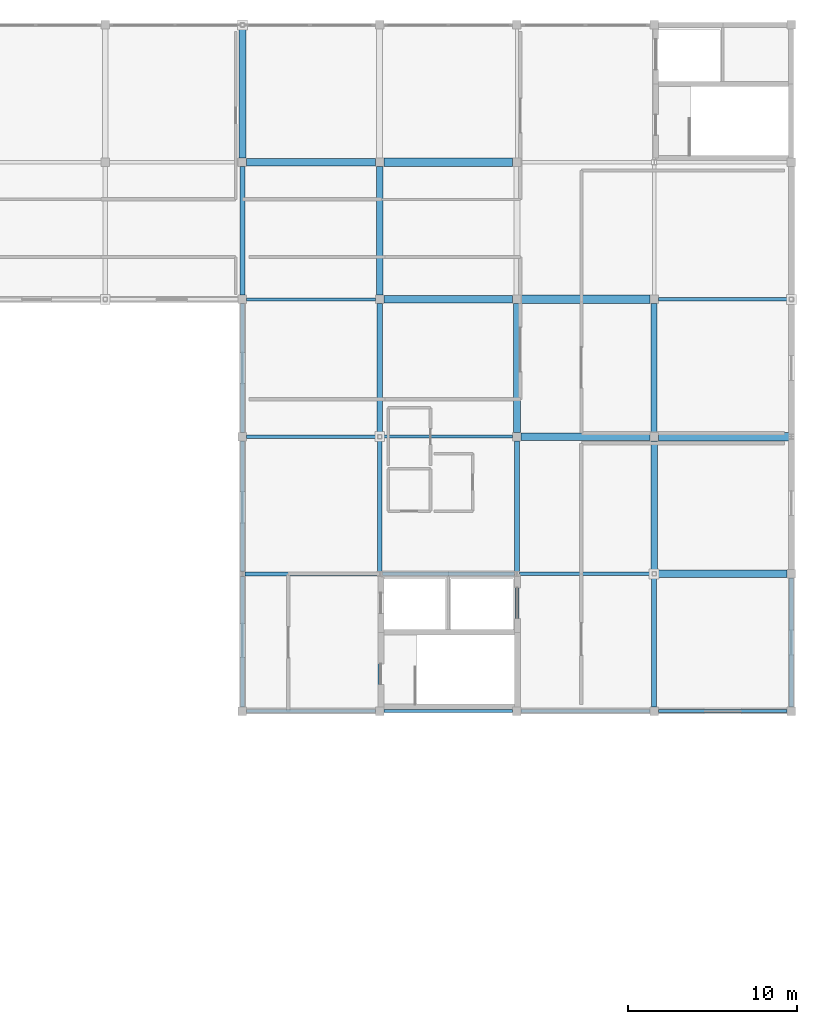
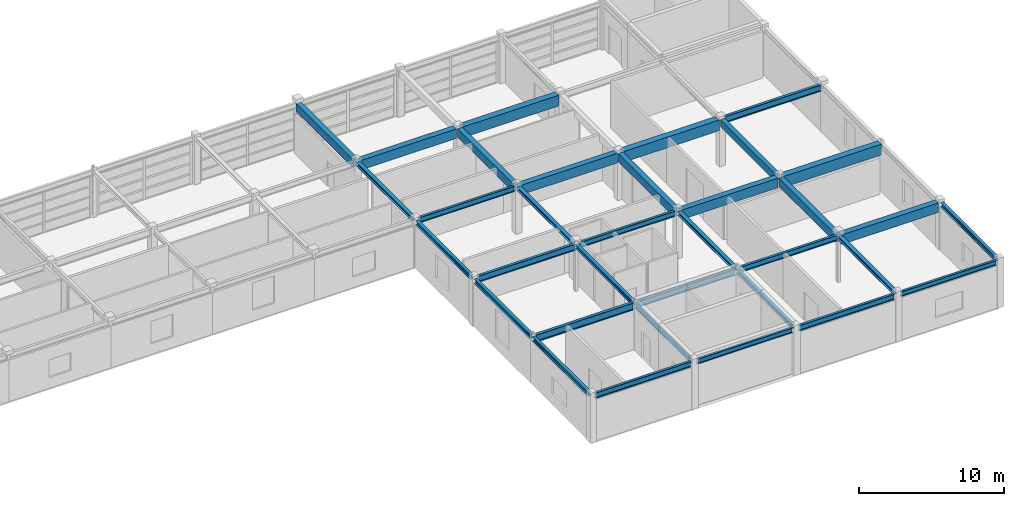
# One storey, part 11 of 19: 34 beams.
"""IFC4 building model written with IfcOpenShell, lengths in metres."""

from ifc_helpers import new_model, si_unit, direction, frame, origin, origin_2d, place, context, subcontext, project, spatial, rectangle, i_section, extrude, material, material_profile, profile_set, type_object, element, save


model = new_model("IFC4")

# Units and contexts
model_context = context("Model", 3, precision=1e-05, world=origin(), true_north=direction((0.0, 1.0)))
body_context = subcontext(model_context, "Body", "Model", "MODEL_VIEW")
ifc_project = project(units=[si_unit("LENGTHUNIT", "METRE"), si_unit("AREAUNIT", "SQUARE_METRE"), si_unit("VOLUMEUNIT", "CUBIC_METRE"), si_unit("PLANEANGLEUNIT", "RADIAN"), si_unit("MASSUNIT", "GRAM", prefix="KILO")], contexts=[model_context])

# Site, building, storey
site_placement = place(None, origin())
site = spatial("IfcSite", under=ifc_project, at=site_placement, CompositionType="ELEMENT")
building_placement = place(site_placement, origin())
building = spatial("IfcBuilding", under=site, at=building_placement, Name="Parian Resonance Hall", CompositionType="ELEMENT")
storey_placement = place(building_placement, frame((0.0, 0.0, 23.39990234375)))
storey = spatial("IfcBuildingStorey", under=building, at=storey_placement, Name="L05", CompositionType="ELEMENT", Elevation=23.39990234375)

# Beams
ifc_material_1 = material(Name="Concrete C40/50", Category="concrete")
ifc_material_profile_1 = material_profile(ifc_material_1, rectangle(XDim=0.35009765625, YDim=0.60009765625, at=origin_2d()), Name="RC-BM-350x600")
ifc_profile_set_1 = profile_set([ifc_material_profile_1], Name="Concrete C40/50")
beam_type_1 = type_object("IfcBeamType", Name="BM-RC350x600", PredefinedType="BEAM", material=ifc_profile_set_1)
beam_1_placement = place(storey_placement, frame((137.699951171875, 65.050048828125, 3.670166015625), z_axis=(0.0, 1.0, 0.0), x_axis=(-1.0, 0.0, 0.0)))
element("IfcBeam", 1, at=beam_1_placement, inside=storey, type_object=beam_type_1, Name="GY-L05-1095", PredefinedType="BEAM", context=body_context, shape_type="SweptSolid", body=[
    extrude(rectangle(XDim=0.35009765625, YDim=0.60009765625, at=origin_2d()), origin(), (0.0, 0.0, 1.0), 7.599853515625),
])
ifc_material_2 = material(Name="Concrete C40/50", Category="concrete")
ifc_material_profile_2 = material_profile(ifc_material_2, rectangle(XDim=0.39990234375, YDim=0.699951171875, at=origin_2d()), Name="RC-BM-400x700")
ifc_profile_set_2 = profile_set([ifc_material_profile_2], Name="Concrete C40/50")
beam_type_2 = type_object("IfcBeamType", Name="BM-RC400x700", PredefinedType="BEAM", material=ifc_profile_set_2)
beam_2_placement = place(storey_placement, frame((113.39990234375, 81.25, 3.6201171875), z_axis=(0.0, 1.0, 0.0), x_axis=(-1.0, 0.0, 0.0)))
element("IfcBeam", 2, at=beam_2_placement, inside=storey, type_object=beam_type_2, Name="GY-L05-1082", PredefinedType="BEAM", context=body_context, shape_type="SweptSolid", body=[
    extrude(rectangle(XDim=0.39990234375, YDim=0.699951171875, at=origin_2d()), origin(), (0.0, 0.0, 1.0), 7.72509765625),
])
beam_3_placement = place(storey_placement, frame((121.5, 73.14990234375, 3.6201171875), z_axis=(0.0, 1.0, 0.0), x_axis=(-1.0, 0.0, 0.0)))
element("IfcBeam", 3, at=beam_3_placement, inside=storey, type_object=beam_type_2, Name="GY-L05-1086", PredefinedType="BEAM", context=body_context, shape_type="SweptSolid", body=[
    extrude(rectangle(XDim=0.39990234375, YDim=0.699951171875, at=origin_2d()), origin(), (0.0, 0.0, 1.0), 7.60009765625),
])
beam_4_placement = place(storey_placement, frame((129.60009765625, 65.050048828125, 3.6201171875), z_axis=(0.0, 1.0, 0.0), x_axis=(-1.0, 0.0, 0.0)))
element("IfcBeam", 4, at=beam_4_placement, inside=storey, type_object=beam_type_2, Name="GY-L05-1090", PredefinedType="BEAM", context=body_context, shape_type="SweptSolid", body=[
    extrude(rectangle(XDim=0.39990234375, YDim=0.699951171875, at=origin_2d()), origin(), (0.0, 0.0, 1.0), 7.599853515625),
])
beam_5_placement = place(storey_placement, frame((137.699951171875, 56.824951171875, 3.6201171875), z_axis=(0.0, 1.0, 0.0), x_axis=(-1.0, 0.0, 0.0)))
element("IfcBeam", 5, at=beam_5_placement, inside=storey, type_object=beam_type_2, Name="GY-L05-1094", PredefinedType="BEAM", context=body_context, shape_type="SweptSolid", body=[
    extrude(rectangle(XDim=0.39990234375, YDim=0.699951171875, at=origin_2d()), origin(), (0.0, 0.0, 1.0), 7.72509765625),
])
ifc_material_3 = material(Name="Concrete C40/50", Category="concrete")
ifc_material_profile_3 = material_profile(ifc_material_3, rectangle(XDim=0.449951171875, YDim=0.800048828125, at=origin_2d()), Name="RC-BM-450x800")
ifc_profile_set_3 = profile_set([ifc_material_profile_3], Name="Concrete C40/50")
beam_type_3 = type_object("IfcBeamType", Name="BM-RC450x800", PredefinedType="USERDEFINED", material=ifc_profile_set_3)
for number, where, z_axis, x_axis, name in (
    (6, (113.64990234375, 81.0, 3.570068359375), (1.0, 0.0, 0.0), (0.0, 1.0, 0.0), "GX-L05-1042"),
    (7, (121.75, 72.89990234375, 3.570068359375), (1.0, 0.0, 0.0), (0.0, 1.0, 0.0), "GX-L05-1047"),
):
    element("IfcBeam", number, at=place(storey_placement, frame(where, z_axis=z_axis, x_axis=x_axis)), inside=storey, type_object=beam_type_3, Name=name, ObjectType="GIRDER", PredefinedType="USERDEFINED", context=body_context, shape_type="SweptSolid", body=[
        extrude(rectangle(XDim=0.449951171875, YDim=0.800048828125, at=origin_2d()), origin(), (0.0, 0.0, 1.0), 7.60009765625),
    ])
beam_6_placement = place(storey_placement, frame((129.85009765625, 64.800048828125, 3.570068359375), z_axis=(1.0, 0.0, 0.0), x_axis=(0.0, 1.0, 0.0)))
element("IfcBeam", 8, at=beam_6_placement, inside=storey, type_object=beam_type_3, Name="GX-L05-1052", ObjectType="GIRDER", PredefinedType="USERDEFINED", context=body_context, shape_type="SweptSolid", body=[
    extrude(rectangle(XDim=0.449951171875, YDim=0.800048828125, at=origin_2d()), origin(), (0.0, 0.0, 1.0), 7.599853515625),
])
beam_7_placement = place(storey_placement, frame((137.824951171875, 56.699951171875, 3.570068359375), z_axis=(1.0, 0.0, 0.0), x_axis=(0.0, 1.0, 0.0)))
element("IfcBeam", 9, at=beam_7_placement, inside=storey, type_object=beam_type_3, Name="GX-L05-1057", ObjectType="GIRDER", PredefinedType="USERDEFINED", context=body_context, shape_type="SweptSolid", body=[
    extrude(rectangle(XDim=0.449951171875, YDim=0.800048828125, at=origin_2d()), origin(), (0.0, 0.0, 1.0), 7.72509765625),
])
ifc_material_4 = material(Name="Concrete C40/50", Category="concrete")
ifc_material_profile_4 = material_profile(ifc_material_4, rectangle(XDim=0.5, YDim=0.89990234375, at=origin_2d()), Name="RC-BM-500x900")
ifc_profile_set_4 = profile_set([ifc_material_profile_4], Name="Concrete C40/50")
beam_type_4 = type_object("IfcBeamType", Name="BM-RC500x900", PredefinedType="USERDEFINED", material=ifc_profile_set_4)
beam_8_placement = place(storey_placement, frame((121.75, 81.0, 3.52001953125), z_axis=(1.0, 0.0, 0.0), x_axis=(0.0, 1.0, 0.0)))
element("IfcBeam", 10, at=beam_8_placement, inside=storey, type_object=beam_type_4, Name="GX-L05-1048", ObjectType="GIRDER", PredefinedType="USERDEFINED", context=body_context, shape_type="SweptSolid", body=[
    extrude(rectangle(XDim=0.5, YDim=0.89990234375, at=origin_2d()), origin(), (0.0, 0.0, 1.0), 7.60009765625),
])
beam_9_placement = place(storey_placement, frame((129.85009765625, 72.89990234375, 3.52001953125), z_axis=(1.0, 0.0, 0.0), x_axis=(0.0, 1.0, 0.0)))
element("IfcBeam", 11, at=beam_9_placement, inside=storey, type_object=beam_type_4, Name="GX-L05-1053", ObjectType="GIRDER", PredefinedType="USERDEFINED", context=body_context, shape_type="SweptSolid", body=[
    extrude(rectangle(XDim=0.5, YDim=0.89990234375, at=origin_2d()), origin(), (0.0, 0.0, 1.0), 7.599853515625),
])
beam_10_placement = place(storey_placement, frame((137.949951171875, 64.800048828125, 3.52001953125), z_axis=(1.0, 0.0, 0.0), x_axis=(0.0, 1.0, 0.0)))
element("IfcBeam", 12, at=beam_10_placement, inside=storey, type_object=beam_type_4, Name="GX-L05-1058", ObjectType="GIRDER", PredefinedType="USERDEFINED", context=body_context, shape_type="SweptSolid", body=[
    extrude(rectangle(XDim=0.5, YDim=0.89990234375, at=origin_2d()), origin(), (0.0, 0.0, 1.0), 7.697509765625),
])
ifc_material_5 = material(Name="Steel S355", Category="steel")
ifc_material_profile_5 = material_profile(ifc_material_5, i_section(OverallWidth=0.304931640625, OverallDepth=0.30810546875, WebThickness=0.010009765625, FlangeThickness=0.015380859375, FilletRadius=0.01513671875, at=origin_2d()), Name="W310x97")
ifc_profile_set_5 = profile_set([ifc_material_profile_5], Name="Steel S355")
beam_type_5 = type_object("IfcBeamType", Name="BM-W310x97", PredefinedType="BEAM", material=ifc_profile_set_5)
beam_11_placement = place(storey_placement, frame((113.39990234375, 73.14990234375, 3.816162109375), z_axis=(0.0, 1.0, 0.0), x_axis=(-1.0, 0.0, 0.0)))
element("IfcBeam", 13, at=beam_11_placement, inside=storey, type_object=beam_type_5, Name="GY-L05-1081", PredefinedType="BEAM", context=body_context, shape_type="SweptSolid", body=[
    extrude(i_section(OverallWidth=0.304931640625, OverallDepth=0.30810546875, WebThickness=0.010009765625, FlangeThickness=0.015380859375, FilletRadius=0.01513671875, at=origin_2d()), origin(), (0.0, 0.0, 1.0), 7.60009765625),
])
beam_12_placement = place(storey_placement, frame((121.5, 64.925048828125, 3.816162109375), z_axis=(0.0, 1.0, 0.0), x_axis=(-1.0, 0.0, 0.0)))
element("IfcBeam", 14, at=beam_12_placement, inside=storey, type_object=beam_type_5, Name="GY-L05-1085", PredefinedType="BEAM", context=body_context, shape_type="SweptSolid", body=[
    extrude(i_section(OverallWidth=0.304931640625, OverallDepth=0.30810546875, WebThickness=0.010009765625, FlangeThickness=0.015380859375, FilletRadius=0.01513671875, at=origin_2d()), origin(), (0.0, 0.0, 1.0), 7.724853515625),
])
beam_13_placement = place(storey_placement, frame((129.60009765625, 56.85400390625, 3.816162109375), z_axis=(0.0, 1.0, 0.0), x_axis=(-1.0, 0.0, 0.0)))
element("IfcBeam", 15, at=beam_13_placement, inside=storey, type_object=beam_type_5, Name="GY-L05-1089", PredefinedType="BEAM", context=body_context, shape_type="SweptSolid", body=[
    extrude(i_section(OverallWidth=0.304931640625, OverallDepth=0.30810546875, WebThickness=0.010009765625, FlangeThickness=0.015380859375, FilletRadius=0.01513671875, at=origin_2d()), origin(), (0.0, 0.0, 1.0), 7.696044921875),
])
beam_14_placement = place(storey_placement, frame((137.699951171875, 48.85009765625, 3.816162109375), z_axis=(0.0, 1.0, 0.0), x_axis=(-1.0, 0.0, 0.0)))
element("IfcBeam", 16, at=beam_14_placement, inside=storey, type_object=beam_type_5, Name="GY-L05-1093", PredefinedType="BEAM", context=body_context, shape_type="SweptSolid", body=[
    extrude(i_section(OverallWidth=0.304931640625, OverallDepth=0.30810546875, WebThickness=0.010009765625, FlangeThickness=0.015380859375, FilletRadius=0.01513671875, at=origin_2d()), origin(), (0.0, 0.0, 1.0), 7.724853515625),
])
ifc_material_6 = material(Name="Steel S355", Category="steel")
ifc_material_profile_6 = material_profile(ifc_material_6, i_section(OverallWidth=0.2548828125, OverallDepth=0.35693359375, WebThickness=0.010498046875, FlangeThickness=0.018310546875, FilletRadius=0.01513671875, at=origin_2d()), Name="W360x101")
ifc_profile_set_6 = profile_set([ifc_material_profile_6], Name="Steel S355")
beam_type_6 = type_object("IfcBeamType", Name="BM-W360x101", PredefinedType="SPANDREL", material=ifc_profile_set_6)
beam_15_placement = place(storey_placement, frame((113.39990234375, 48.85009765625, 3.79150390625), z_axis=(0.0, 1.0, 0.0), x_axis=(-1.0, 0.0, 0.0)))
element("IfcBeam", 17, at=beam_15_placement, inside=storey, type_object=beam_type_6, Name="GY-L05-1078", PredefinedType="SPANDREL", context=body_context, shape_type="SweptSolid", body=[
    extrude(i_section(OverallWidth=0.2548828125, OverallDepth=0.35693359375, WebThickness=0.010498046875, FlangeThickness=0.018310546875, FilletRadius=0.01513671875, at=origin_2d()), origin(), (0.0, 0.0, 1.0), 7.69580078125),
])
beam_16_placement = place(storey_placement, frame((113.39990234375, 56.85400390625, 3.79150390625), z_axis=(0.0, 1.0, 0.0), x_axis=(-1.0, 0.0, 0.0)))
element("IfcBeam", 18, at=beam_16_placement, inside=storey, type_object=beam_type_6, Name="GY-L05-1079", PredefinedType="SPANDREL", context=body_context, shape_type="SweptSolid", body=[
    extrude(i_section(OverallWidth=0.2548828125, OverallDepth=0.35693359375, WebThickness=0.010498046875, FlangeThickness=0.018310546875, FilletRadius=0.01513671875, at=origin_2d()), origin(), (0.0, 0.0, 1.0), 7.696044921875),
])
beam_17_placement = place(storey_placement, frame((113.39990234375, 65.050048828125, 3.79150390625), z_axis=(0.0, 1.0, 0.0), x_axis=(-1.0, 0.0, 0.0)))
element("IfcBeam", 19, at=beam_17_placement, inside=storey, type_object=beam_type_6, Name="GY-L05-1080", PredefinedType="SPANDREL", context=body_context, shape_type="SweptSolid", body=[
    extrude(i_section(OverallWidth=0.2548828125, OverallDepth=0.35693359375, WebThickness=0.010498046875, FlangeThickness=0.018310546875, FilletRadius=0.01513671875, at=origin_2d()), origin(), (0.0, 0.0, 1.0), 7.599853515625),
])
beam_18_placement = place(storey_placement, frame((121.5, 56.85400390625, 3.79150390625), z_axis=(0.0, 1.0, 0.0), x_axis=(-1.0, 0.0, 0.0)))
element("IfcBeam", 20, at=beam_18_placement, inside=storey, type_object=beam_type_6, Name="GY-L05-1084", PredefinedType="SPANDREL", context=body_context, shape_type="SweptSolid", body=[
    extrude(i_section(OverallWidth=0.2548828125, OverallDepth=0.35693359375, WebThickness=0.010498046875, FlangeThickness=0.018310546875, FilletRadius=0.01513671875, at=origin_2d()), origin(), (0.0, 0.0, 1.0), 7.821044921875),
])
beam_19_placement = place(storey_placement, frame((129.60009765625, 48.85009765625, 3.79150390625), z_axis=(0.0, 1.0, 0.0), x_axis=(-1.0, 0.0, 0.0)))
element("IfcBeam", 21, at=beam_19_placement, inside=storey, type_object=beam_type_6, Name="GY-L05-1088", PredefinedType="SPANDREL", context=body_context, shape_type="SweptSolid", body=[
    extrude(i_section(OverallWidth=0.2548828125, OverallDepth=0.35693359375, WebThickness=0.010498046875, FlangeThickness=0.018310546875, FilletRadius=0.01513671875, at=origin_2d()), origin(), (0.0, 0.0, 1.0), 7.69580078125),
])
beam_20_placement = place(storey_placement, frame((145.800048828125, 48.85009765625, 3.79150390625), z_axis=(0.0, 1.0, 0.0), x_axis=(-1.0, 0.0, 0.0)))
element("IfcBeam", 22, at=beam_20_placement, inside=storey, type_object=beam_type_6, Name="GY-L05-1098", PredefinedType="SPANDREL", context=body_context, shape_type="SweptSolid", body=[
    extrude(i_section(OverallWidth=0.2548828125, OverallDepth=0.35693359375, WebThickness=0.010498046875, FlangeThickness=0.018310546875, FilletRadius=0.01513671875, at=origin_2d()), origin(), (0.0, 0.0, 1.0), 7.599853515625),
])
ifc_material_7 = material(Name="Steel S355", Category="steel")
ifc_material_profile_7 = material_profile(ifc_material_7, i_section(OverallWidth=0.180908203125, OverallDepth=0.4169921875, WebThickness=0.010986328125, FlangeThickness=0.018310546875, FilletRadius=0.01513671875, at=origin_2d()), Name="W410x85")
ifc_profile_set_7 = profile_set([ifc_material_profile_7], Name="Steel S355")
beam_type_7 = type_object("IfcBeamType", Name="BM-W410x85", PredefinedType="SPANDREL", material=ifc_profile_set_7)
for number, where, z_axis, x_axis, name in (
    (23, (121.75, 48.60009765625, 3.76171875), (1.0, 0.0, 0.0), (0.0, 1.0, 0.0), "GX-L05-1044"),
    (24, (137.949951171875, 48.60009765625, 3.76171875), (1.0, 0.0, 0.0), (0.0, 1.0, 0.0), "GX-L05-1056"),
):
    element("IfcBeam", number, at=place(storey_placement, frame(where, z_axis=z_axis, x_axis=x_axis)), inside=storey, type_object=beam_type_7, Name=name, PredefinedType="SPANDREL", context=body_context, shape_type="SweptSolid", body=[
        extrude(i_section(OverallWidth=0.180908203125, OverallDepth=0.4169921875, WebThickness=0.010986328125, FlangeThickness=0.018310546875, FilletRadius=0.01513671875, at=origin_2d()), origin(), (0.0, 0.0, 1.0), 7.60009765625),
    ])
beam_21_placement = place(storey_placement, frame((121.5, 48.85009765625, 3.76171875), z_axis=(0.0, 1.0, 0.0), x_axis=(-1.0, 0.0, 0.0)))
element("IfcBeam", 25, at=beam_21_placement, inside=storey, type_object=beam_type_7, Name="GY-L05-1083", PredefinedType="SPANDREL", context=body_context, shape_type="SweptSolid", body=[
    extrude(i_section(OverallWidth=0.180908203125, OverallDepth=0.4169921875, WebThickness=0.010986328125, FlangeThickness=0.018310546875, FilletRadius=0.01513671875, at=origin_2d()), origin(), (0.0, 0.0, 1.0), 7.69580078125),
])
ifc_material_8 = material(Name="Steel S355", Category="steel")
ifc_material_profile_8 = material_profile(ifc_material_8, i_section(OverallWidth=0.194091796875, OverallDepth=0.468994140625, WebThickness=0.0126953125, FlangeThickness=0.0205078125, FilletRadius=0.01513671875, at=origin_2d()), Name="W460x106")
ifc_profile_set_8 = profile_set([ifc_material_profile_8], Name="Steel S355")
beam_type_8 = type_object("IfcBeamType", Name="BM-W460x106", PredefinedType="SPANDREL", material=ifc_profile_set_8)
beam_22_placement = place(storey_placement, frame((113.64990234375, 48.60009765625, 3.735595703125), z_axis=(1.0, 0.0, 0.0), x_axis=(0.0, 1.0, 0.0)))
element("IfcBeam", 26, at=beam_22_placement, inside=storey, type_object=beam_type_8, Name="GX-L05-1038", PredefinedType="SPANDREL", context=body_context, shape_type="SweptSolid", body=[
    extrude(i_section(OverallWidth=0.194091796875, OverallDepth=0.468994140625, WebThickness=0.0126953125, FlangeThickness=0.0205078125, FilletRadius=0.01513671875, at=origin_2d()), origin(), (0.0, 0.0, 1.0), 7.60009765625),
])
beam_23_placement = place(storey_placement, frame((129.85009765625, 48.60009765625, 3.735595703125), z_axis=(1.0, 0.0, 0.0), x_axis=(0.0, 1.0, 0.0)))
element("IfcBeam", 27, at=beam_23_placement, inside=storey, type_object=beam_type_8, Name="GX-L05-1050", PredefinedType="SPANDREL", context=body_context, shape_type="SweptSolid", body=[
    extrude(i_section(OverallWidth=0.194091796875, OverallDepth=0.468994140625, WebThickness=0.0126953125, FlangeThickness=0.0205078125, FilletRadius=0.01513671875, at=origin_2d()), origin(), (0.0, 0.0, 1.0), 7.599853515625),
])
ifc_material_9 = material(Name="Steel S355", Category="steel")
ifc_material_profile_9 = material_profile(ifc_material_9, i_section(OverallWidth=0.19091796875, OverallDepth=0.4599609375, WebThickness=0.010009765625, FlangeThickness=0.01611328125, FilletRadius=0.01513671875, at=origin_2d()), Name="W460x82")
ifc_profile_set_9 = profile_set([ifc_material_profile_9], Name="Steel S355")
beam_type_9 = type_object("IfcBeamType", Name="BM-W460x82", PredefinedType="BEAM", material=ifc_profile_set_9)
beam_24_placement = place(storey_placement, frame((113.64990234375, 72.89990234375, 3.739990234375), z_axis=(1.0, 0.0, 0.0), x_axis=(0.0, 1.0, 0.0)))
element("IfcBeam", 28, at=beam_24_placement, inside=storey, type_object=beam_type_9, Name="GX-L05-1041", PredefinedType="BEAM", context=body_context, shape_type="SweptSolid", body=[
    extrude(i_section(OverallWidth=0.19091796875, OverallDepth=0.4599609375, WebThickness=0.010009765625, FlangeThickness=0.01611328125, FilletRadius=0.01513671875, at=origin_2d()), origin(), (0.0, 0.0, 1.0), 7.60009765625),
])
beam_25_placement = place(storey_placement, frame((121.625, 64.800048828125, 3.739990234375), z_axis=(1.0, 0.0, 0.0), x_axis=(0.0, 1.0, 0.0)))
element("IfcBeam", 29, at=beam_25_placement, inside=storey, type_object=beam_type_9, Name="GX-L05-1046", PredefinedType="BEAM", context=body_context, shape_type="SweptSolid", body=[
    extrude(i_section(OverallWidth=0.19091796875, OverallDepth=0.4599609375, WebThickness=0.010009765625, FlangeThickness=0.01611328125, FilletRadius=0.01513671875, at=origin_2d()), origin(), (0.0, 0.0, 1.0), 7.72509765625),
])
beam_26_placement = place(storey_placement, frame((129.75244140625, 56.699951171875, 3.739990234375), z_axis=(1.0, 0.0, 0.0), x_axis=(0.0, 1.0, 0.0)))
element("IfcBeam", 30, at=beam_26_placement, inside=storey, type_object=beam_type_9, Name="GX-L05-1051", PredefinedType="BEAM", context=body_context, shape_type="SweptSolid", body=[
    extrude(i_section(OverallWidth=0.19091796875, OverallDepth=0.4599609375, WebThickness=0.010009765625, FlangeThickness=0.01611328125, FilletRadius=0.01513671875, at=origin_2d()), origin(), (0.0, 0.0, 1.0), 7.822509765625),
])
ifc_material_10 = material(Name="Steel S355", Category="steel")
ifc_material_profile_10 = material_profile(ifc_material_10, i_section(OverallWidth=0.2119140625, OverallDepth=0.5439453125, WebThickness=0.01318359375, FlangeThickness=0.021240234375, FilletRadius=0.017822265625, at=origin_2d()), Name="W530x123")
ifc_profile_set_10 = profile_set([ifc_material_profile_10], Name="Steel S355")
beam_type_10 = type_object("IfcBeamType", Name="BM-W530x123", PredefinedType="USERDEFINED", material=ifc_profile_set_10)
beam_27_placement = place(storey_placement, frame((137.949951171875, 72.89990234375, 3.697998046875), z_axis=(1.0, 0.0, 0.0), x_axis=(0.0, 1.0, 0.0)))
element("IfcBeam", 31, at=beam_27_placement, inside=storey, type_object=beam_type_10, Name="GX-L05-1059", ObjectType="GIRDER", PredefinedType="USERDEFINED", context=body_context, shape_type="SweptSolid", body=[
    extrude(i_section(OverallWidth=0.2119140625, OverallDepth=0.5439453125, WebThickness=0.01318359375, FlangeThickness=0.021240234375, FilletRadius=0.017822265625, at=origin_2d()), origin(), (0.0, 0.0, 1.0), 7.72509765625),
])
ifc_material_11 = material(Name="Steel S355", Category="steel")
ifc_material_profile_11 = material_profile(ifc_material_11, i_section(OverallWidth=0.208984375, OverallDepth=0.532958984375, WebThickness=0.01025390625, FlangeThickness=0.015625, FilletRadius=0.017822265625, at=origin_2d()), Name="W530x92")
ifc_profile_set_11 = profile_set([ifc_material_profile_11], Name="Steel S355")
beam_type_11 = type_object("IfcBeamType", Name="BM-W530x92", PredefinedType="BEAM", material=ifc_profile_set_11)
beam_28_placement = place(storey_placement, frame((113.64990234375, 64.800048828125, 3.70361328125), z_axis=(1.0, 0.0, 0.0), x_axis=(0.0, 1.0, 0.0)))
element("IfcBeam", 32, at=beam_28_placement, inside=storey, type_object=beam_type_11, Name="GX-L05-1040", PredefinedType="BEAM", context=body_context, shape_type="SweptSolid", body=[
    extrude(i_section(OverallWidth=0.208984375, OverallDepth=0.532958984375, WebThickness=0.01025390625, FlangeThickness=0.015625, FilletRadius=0.017822265625, at=origin_2d()), origin(), (0.0, 0.0, 1.0), 7.72509765625),
])
beam_29_placement = place(storey_placement, frame((121.652587890625, 56.699951171875, 3.70361328125), z_axis=(1.0, 0.0, 0.0), x_axis=(0.0, 1.0, 0.0)))
element("IfcBeam", 33, at=beam_29_placement, inside=storey, type_object=beam_type_11, Name="GX-L05-1045", PredefinedType="BEAM", context=body_context, shape_type="SweptSolid", body=[
    extrude(i_section(OverallWidth=0.208984375, OverallDepth=0.532958984375, WebThickness=0.01025390625, FlangeThickness=0.015625, FilletRadius=0.017822265625, at=origin_2d()), origin(), (0.0, 0.0, 1.0), 7.794921875),
])
ifc_material_12 = material(Name="Steel S355", Category="steel")
ifc_material_profile_12 = material_profile(ifc_material_12, i_section(OverallWidth=0.22802734375, OverallDepth=0.60791015625, WebThickness=0.01123046875, FlangeThickness=0.017333984375, FilletRadius=0.017822265625, at=origin_2d()), Name="W610x113")
ifc_profile_set_12 = profile_set([ifc_material_profile_12], Name="Steel S355")
beam_type_12 = type_object("IfcBeamType", Name="BM-W610x113", PredefinedType="USERDEFINED", material=ifc_profile_set_12)
beam_30_placement = place(storey_placement, frame((113.552490234375, 56.699951171875, 3.666015625), z_axis=(1.0, 0.0, 0.0), x_axis=(0.0, 1.0, 0.0)))
element("IfcBeam", 34, at=beam_30_placement, inside=storey, type_object=beam_type_12, Name="GX-L05-1039", ObjectType="GIRDER", PredefinedType="USERDEFINED", context=body_context, shape_type="SweptSolid", body=[
    extrude(i_section(OverallWidth=0.22802734375, OverallDepth=0.60791015625, WebThickness=0.01123046875, FlangeThickness=0.017333984375, FilletRadius=0.017822265625, at=origin_2d()), origin(), (0.0, 0.0, 1.0), 7.794921875),
])

save(model, "model.ifc")
